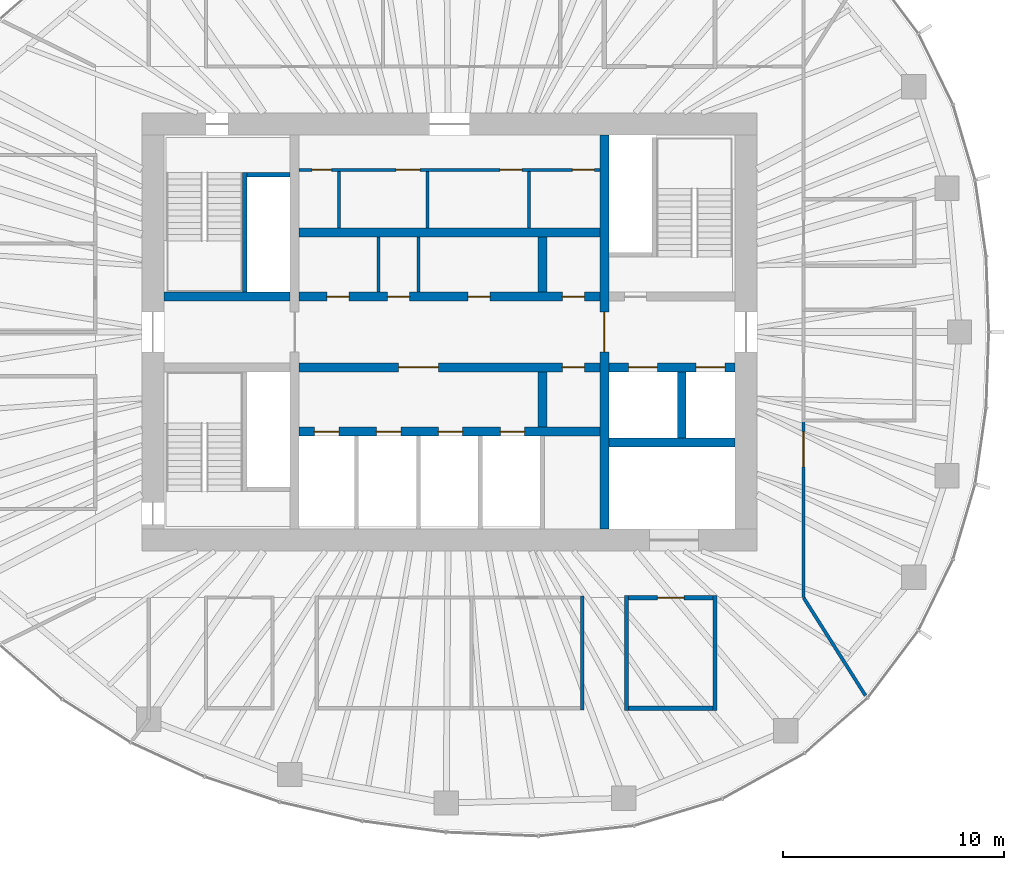
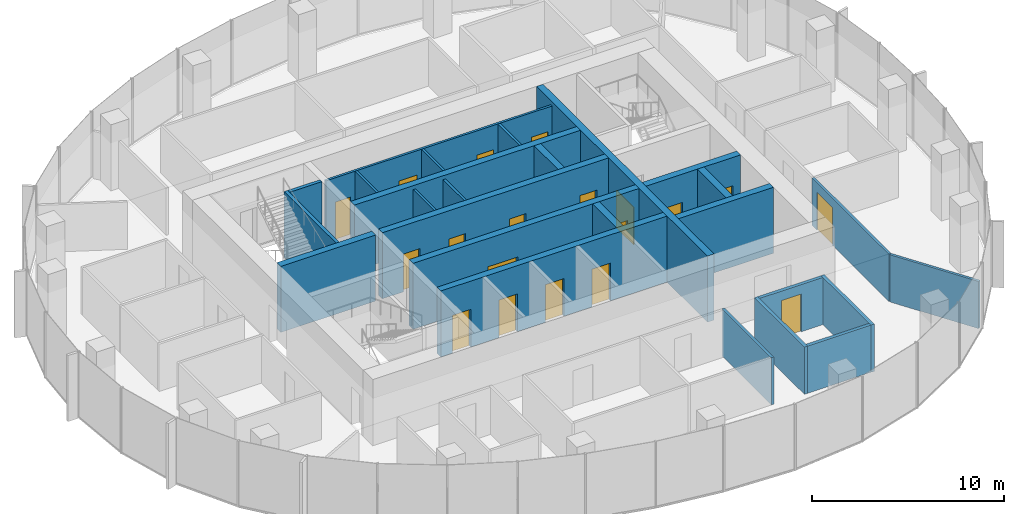
# One storey, part 9 of 12: 26 walls, 19 doors, 19 openings.
"""IFC4 building model written with IfcOpenShell, lengths in metres."""

import ifcopenshell
import ifcopenshell.guid

model = None  # the IFC model being written
_history = None  # IfcOwnerHistory: only IFC2X3 demands one
_inside = {}  # id of a spatial element -> (the spatial element, [elements in it])
_under = {}  # id of a project, library or spatial element -> (it, [spatial elements below it])
_declared = {}  # id of a project -> (the project, [libraries it declares])
_typed = {}  # id of a type object -> (the type object, [elements of that type])
_made_of = {}  # id of a material, layer set ... -> (it, [elements and type objects made of it])


def new_model(schema):
    """Start an empty IFC model of exactly this schema.

    Asked for "IFC4X3", IfcOpenShell would pick the latest addendum, in which some entities
    have other attributes; the version numbers below select the first issue.
    IFC2X3 requires an IfcOwnerHistory on every rooted entity: one is made here for all.
    """
    global model, _history
    if schema == "IFC4X3":
        model = ifcopenshell.file(schema_version=(4, 3, 0, 0))
    else:
        model = ifcopenshell.file(schema=schema)
    _inside.clear()
    _under.clear()
    _declared.clear()
    _typed.clear()
    _made_of.clear()
    _history = None
    if model.schema == "IFC2X3":
        org = make("IfcOrganization", Name="unknown")
        user = make(
            "IfcPersonAndOrganization",
            ThePerson=make("IfcPerson", FamilyName="unknown"),
            TheOrganization=org,
        )
        app = make(
            "IfcApplication",
            ApplicationDeveloper=org,
            Version="unknown",
            ApplicationFullName="unknown",
            ApplicationIdentifier="unknown",
        )
        _history = make(
            "IfcOwnerHistory",
            OwningUser=user,
            OwningApplication=app,
            ChangeAction="ADDED",
            CreationDate=0,
        )
    return model


def make(cls, **values):
    """One entity of the class cls with the attributes given. An attribute that is None is left unset."""
    return model.create_entity(
        cls, **{name: value for name, value in values.items() if value is not None}
    )


def rooted(cls, **values):
    """An entity with a GlobalId (a new one), such as an element, a storey or a relation."""
    return make(cls, GlobalId=ifcopenshell.guid.new(), OwnerHistory=_history, **values)


def si_unit(unit_type, name, prefix=None):
    """IfcSIUnit, for example si_unit("LENGTHUNIT", "METRE", prefix="MILLI")."""
    return make("IfcSIUnit", UnitType=unit_type, Prefix=prefix, Name=name)


def assignment(units):
    """IfcUnitAssignment: the units of a project."""
    return None if units is None else make("IfcUnitAssignment", Units=units)


def point(xyz):
    """IfcCartesianPoint."""
    return None if xyz is None else make("IfcCartesianPoint", Coordinates=xyz)


def direction(xyz):
    """IfcDirection."""
    return None if xyz is None else make("IfcDirection", DirectionRatios=xyz)


def frame(location, z_axis=None, x_axis=None):
    """IfcAxis2Placement3D, a coordinate frame: its origin and axes. An axis left out is left unset."""
    return make(
        "IfcAxis2Placement3D",
        Location=point(location),
        Axis=direction(z_axis),
        RefDirection=direction(x_axis),
    )


def frame_2d(location, x_axis=None):
    """IfcAxis2Placement2D, a coordinate frame in the plane: its origin and x axis."""
    return make(
        "IfcAxis2Placement2D", Location=point(location), RefDirection=direction(x_axis)
    )


def origin():
    """The frame at (0, 0, 0) with its axes left unset."""
    return frame((0.0, 0.0, 0.0))


def place(relative_to, where):
    """IfcLocalPlacement: puts the frame where relative to a parent placement (None: the world)."""
    return make(
        "IfcLocalPlacement", PlacementRelTo=relative_to, RelativePlacement=where
    )


def context(
    kind, dimensions, precision=None, world=None, true_north=None, identifier=None
):
    """IfcGeometricRepresentationContext, for example the 3D "Model" context."""
    return make(
        "IfcGeometricRepresentationContext",
        ContextIdentifier=identifier,
        ContextType=kind,
        CoordinateSpaceDimension=dimensions,
        Precision=precision,
        WorldCoordinateSystem=world,
        TrueNorth=true_north,
    )


def subcontext(parent, identifier, kind, view, scale=None):
    """IfcGeometricRepresentationSubContext, for example "Body" below "Model"."""
    return make(
        "IfcGeometricRepresentationSubContext",
        ContextIdentifier=identifier,
        ContextType=kind,
        ParentContext=parent,
        TargetScale=scale,
        TargetView=view,
    )


def project(units=None, contexts=None):
    """IfcProject with its units and contexts."""
    return rooted(
        "IfcProject",
        Name="project",
        RepresentationContexts=contexts,
        UnitsInContext=assignment(units),
    )


def spatial(cls, under=None, at=None, **own):
    """A site, building, storey or space (cls), placed at a placement, below another one or the project."""
    s = rooted(cls, ObjectPlacement=at, **own)
    if under is not None:
        _under.setdefault(under.id(), (under, []))[1].append(s)
    return s


def profile(cls, at=None, kind="AREA", **sizes):
    """A parametric profile (cls). Its sizes go by their IFC names, for example OverallWidth=200.0."""
    return make(cls, ProfileType=kind, Position=at, **sizes)


def rectangle(**sizes):
    """IfcRectangleProfileDef."""
    return profile("IfcRectangleProfileDef", **sizes)


def extrude(swept, where, along, depth):
    """IfcExtrudedAreaSolid: the profile swept, set in the frame where, extruded along a direction by depth."""
    return make(
        "IfcExtrudedAreaSolid",
        SweptArea=swept,
        Position=where,
        ExtrudedDirection=direction(along),
        Depth=depth,
    )


def shape(context_of_items, identifier, shape_type, items):
    """IfcShapeRepresentation: the items that make up one representation, for example the "Body"."""
    return make(
        "IfcShapeRepresentation",
        ContextOfItems=context_of_items,
        RepresentationIdentifier=identifier,
        RepresentationType=shape_type,
        Items=items,
    )


def material(Name=None, Category=None):
    """IfcMaterial."""
    return make("IfcMaterial", Name=Name, Category=Category)


def layer(
    of_material, thickness, ventilated=None, Name=None, Category=None, Priority=None
):
    """IfcMaterialLayer: one layer of a wall or slab, of a material (None: an air gap)."""
    return make(
        "IfcMaterialLayer",
        Material=of_material,
        LayerThickness=thickness,
        IsVentilated=ventilated,
        Name=Name,
        Category=Category,
        Priority=Priority,
    )


def layer_set(layers, Name=None):
    """IfcMaterialLayerSet."""
    return make("IfcMaterialLayerSet", MaterialLayers=layers, LayerSetName=Name)


def made_of(thing, what):
    """Note that an element or type object is made of a material, layer set ...; save() writes the relation."""
    if what is not None:
        _made_of.setdefault(what.id(), (what, []))[1].append(thing)
    return thing


def type_object(cls, material=None, **own):
    """A type object (cls), such as IfcWallType, which elements share."""
    return made_of(rooted(cls, **own), material)


def element(
    cls,
    number,
    at=None,
    inside=None,
    cuts=None,
    type_object=None,
    material=None,
    context=None,
    identifier="Body",
    shape_type=None,
    held_by="IfcProductDefinitionShape",
    body=None,
    shapes=None,
    **own,
):
    """One element of the class cls, such as IfcWall. Its Tag is "e" and its number.

    at: its placement. inside: the storey or other place that contains it. cuts: it is an
    opening in that element (IfcRelVoidsElement). A single representation is given by context,
    identifier, shape_type and body (its items); several are given by shapes. held_by: the class
    of the entity that holds the representations. save() writes the other relations.
    """
    e = rooted(cls, Tag="e%d" % number, ObjectPlacement=at, **own)
    if body is not None:
        shapes = [shape(context, identifier, shape_type, body)]
    if shapes is not None:
        e.Representation = make(held_by, Representations=shapes)
    if inside is not None:
        _inside.setdefault(inside.id(), (inside, []))[1].append(e)
    if cuts is not None:
        rooted(
            "IfcRelVoidsElement", RelatingBuildingElement=cuts, RelatedOpeningElement=e
        )
    if type_object is not None:
        _typed.setdefault(type_object.id(), (type_object, []))[1].append(e)
    return made_of(e, material)


def fill(opening, filler):
    """IfcRelFillsElement: the door or window that sits in an opening."""
    return rooted(
        "IfcRelFillsElement",
        RelatingOpeningElement=opening,
        RelatedBuildingElement=filler,
    )


def aggregate(whole, parts):
    """IfcRelAggregates: a whole, such as a stair, and the parts it consists of."""
    return rooted("IfcRelAggregates", RelatingObject=whole, RelatedObjects=parts)


def save(model, path):
    """Write the relations noted so far, then the file.

    IfcRelAggregates (storeys below a building ...), IfcRelContainedInSpatialStructure (elements
    in a storey), IfcRelDefinesByType, IfcRelAssociatesMaterial and IfcRelDeclares: one each for
    every whole, place, type object, material and project.
    """
    for whole, parts in _under.values():
        aggregate(whole, parts)
    for where, things in _inside.values():
        rooted(
            "IfcRelContainedInSpatialStructure",
            RelatedElements=things,
            RelatingStructure=where,
        )
    for kind, things in _typed.values():
        rooted("IfcRelDefinesByType", RelatedObjects=things, RelatingType=kind)
    for what, things in _made_of.values():
        rooted("IfcRelAssociatesMaterial", RelatedObjects=things, RelatingMaterial=what)
    for by, libraries in _declared.values():
        rooted("IfcRelDeclares", RelatingContext=by, RelatedDefinitions=libraries)
    model.write(path)


model = new_model("IFC4")

# Units and contexts
model_context = context("Model", 3, precision=1e-05, world=origin(), true_north=direction((0.0, 1.0)))
body_context = subcontext(model_context, "Body", "Model", "MODEL_VIEW")
ifc_project = project(units=[si_unit("LENGTHUNIT", "METRE"), si_unit("AREAUNIT", "SQUARE_METRE"), si_unit("VOLUMEUNIT", "CUBIC_METRE"), si_unit("PLANEANGLEUNIT", "RADIAN"), si_unit("MASSUNIT", "GRAM", prefix="KILO")], contexts=[model_context])

# Site, building, storey
site_placement = place(None, origin())
site = spatial("IfcSite", under=ifc_project, at=site_placement, CompositionType="ELEMENT")
building_placement = place(site_placement, origin())
building = spatial("IfcBuilding", under=site, at=building_placement, Name="Ghaith Harvest Tower", CompositionType="ELEMENT")
storey_placement = place(building_placement, frame((0.0, 0.0, 300.60009765625)))
storey = spatial("IfcBuildingStorey", under=building, at=storey_placement, Name="L67", CompositionType="ELEMENT", Elevation=300.60009765625)

# Walls
ifc_material_1 = material(Name="Twin-stud gypsum board, acoustic", Category="gypsum")
ifc_layer_1 = layer(ifc_material_1, 0.199951171875)
ifc_layer_set_1 = layer_set([ifc_layer_1], Name="ACOUSTIC PARTITION 200")
wall_type_1 = type_object("IfcWallType", Name="ACOUSTIC PARTITION 200", PredefinedType="PARTITIONING", material=ifc_layer_set_1)
for number, where, z_axis, x_axis, name in (
    (1, (8.0, -11.89990234375, 0.0), (0.0, 0.0, 1.0), (0.0, -1.0, 0.0), "Partition L67 row S4 cross wall 1"),
    (2, (12.0, -11.89990234375, 0.0), (0.0, 0.0, 1.0), (0.0, -1.0, 0.0), "Partition L67 row S4 cross wall 2"),
):
    element("IfcWall", number, at=place(storey_placement, frame(where, z_axis=z_axis, x_axis=x_axis)), inside=storey, type_object=wall_type_1, Name=name, PredefinedType="PARTITIONING", context=body_context, shape_type="SweptSolid", body=[
        extrude(rectangle(XDim=5.2001953125, YDim=0.199951171875, at=frame_2d((2.60009765625, 0.0))), origin(), (0.0, 0.0, 1.0), 3.0),
    ])

# Wall, opening, door
wall_1_placement = place(storey_placement, frame((8.10009765625, -12.0, 0.0), z_axis=(0.0, 0.0, 1.0), x_axis=(1.0, 0.0, 0.0)))
wall_1 = element("IfcWall", 3, at=wall_1_placement, inside=storey, type_object=wall_type_1, Name="Partition L67-07", PredefinedType="PARTITIONING", context=body_context, shape_type="SweptSolid", body=[
    extrude(rectangle(XDim=3.7998046875, YDim=0.199951171875, at=frame_2d((1.89990234375, 0.0))), origin(), (0.0, 0.0, 1.0), 3.0),
])
opening_1_placement = place(wall_1_placement, frame((1.300048828125, 0.0, 0.0)))
opening_1 = element("IfcOpeningElement", 4, at=opening_1_placement, cuts=wall_1, Name="Opening 67-032", PredefinedType="OPENING", context=body_context, shape_type="SweptSolid", body=[
    extrude(rectangle(XDim=1.199951171875, YDim=2.39990234375, at=frame_2d((0.60009765625, 1.199951171875))), frame((0.0, 0.10986328125, 0.0), z_axis=(0.0, -1.0, 0.0), x_axis=(1.0, 0.0, 0.0)), (0.0, 0.0, 1.0), 0.219970703125),
])
ifc_material_2 = material(Name="Timber door", Category="wood")
door_type_1 = type_object("IfcDoorType", Name="D11 GLAZED 1200x2400", OperationType="SINGLE_SWING_LEFT", PredefinedType="DOOR", material=ifc_material_2)
door_1_placement = place(opening_1_placement, origin())
door_1 = element("IfcDoor", 5, at=door_1_placement, inside=storey, type_object=door_type_1, Name="Meeting room door", OperationType="SINGLE_SWING_LEFT", OverallHeight=2.39990234375, OverallWidth=1.199951171875, PredefinedType="DOOR", context=body_context, shape_type="SweptSolid", body=[
    extrude(rectangle(XDim=1.199951171875, YDim=2.39990234375, at=frame_2d((0.60009765625, 1.199951171875))), frame((0.0, 0.02490234375, 0.0), z_axis=(0.0, -1.0, 0.0), x_axis=(1.0, 0.0, 0.0)), (0.0, 0.0, 1.0), 0.050048828125),
])
fill(opening_1, door_1)

# Wall
wall_2_placement = place(storey_placement, frame((8.10009765625, -17.0, 0.0), z_axis=(0.0, 0.0, 1.0), x_axis=(1.0, 0.0, 0.0)))
element("IfcWall", 6, at=wall_2_placement, inside=storey, type_object=wall_type_1, Name="Partition L67-07", PredefinedType="PARTITIONING", context=body_context, shape_type="SweptSolid", body=[
    extrude(rectangle(XDim=3.7998046875, YDim=0.199951171875, at=frame_2d((1.89990234375, 0.0))), origin(), (0.0, 0.0, 1.0), 3.0),
])

# Wall, openings, doors
ifc_material_3 = material(Name="Concrete blockwork, fair-faced", Category="masonry")
ifc_layer_2 = layer(ifc_material_3, 0.139892578125)
ifc_layer_set_2 = layer_set([ifc_layer_2], Name="CORE PARTITION 140")
wall_type_2 = type_object("IfcWallType", Name="CORE PARTITION 140", PredefinedType="PARTITIONING", material=ifc_layer_set_2)
wall_3_placement = place(storey_placement, frame((-6.800048828125, 7.330078125, 0.0), z_axis=(0.0, 0.0, 1.0), x_axis=(1.0, 0.0, 0.0)))
wall_3 = element("IfcWall", 7, at=wall_3_placement, inside=storey, type_object=wall_type_2, Name="Core partition L67", PredefinedType="PARTITIONING", context=body_context, shape_type="SweptSolid", body=[
    extrude(rectangle(XDim=13.60009765625, YDim=0.139892578125, at=frame_2d((6.800048828125, 0.0))), origin(), (0.0, 0.0, 1.0), 3.949951171875),
])
opening_2_placement = place(wall_3_placement, frame((0.580078125, 0.0, 0.0)))
opening_2 = element("IfcOpeningElement", 8, at=opening_2_placement, cuts=wall_3, Name="Opening 67-008", PredefinedType="OPENING", context=body_context, shape_type="SweptSolid", body=[
    extrude(rectangle(XDim=0.89990234375, YDim=2.39990234375, at=frame_2d((0.449951171875, 1.199951171875))), frame((0.0, 0.080078125, 0.0), z_axis=(0.0, -1.0, 0.0), x_axis=(1.0, 0.0, 0.0)), (0.0, 0.0, 1.0), 0.159912109375),
])
opening_3_placement = place(wall_3_placement, frame((4.3798828125, 0.0, 0.0)))
opening_3 = element("IfcOpeningElement", 9, at=opening_3_placement, cuts=wall_3, Name="Opening 67-009", PredefinedType="OPENING", context=body_context, shape_type="SweptSolid", body=[
    extrude(rectangle(XDim=1.10009765625, YDim=2.39990234375, at=frame_2d((0.550048828125, 1.199951171875))), frame((0.0, 0.080078125, 0.0), z_axis=(0.0, -1.0, 0.0), x_axis=(1.0, 0.0, 0.0)), (0.0, 0.0, 1.0), 0.159912109375),
])
opening_4_placement = place(wall_3_placement, frame((9.080078125, 0.0, 0.0)))
opening_4 = element("IfcOpeningElement", 10, at=opening_4_placement, cuts=wall_3, Name="Opening 67-010", PredefinedType="OPENING", context=body_context, shape_type="SweptSolid", body=[
    extrude(rectangle(XDim=1.0, YDim=2.39990234375, at=frame_2d((0.5, 1.199951171875))), frame((0.0, 0.080078125, 0.0), z_axis=(0.0, -1.0, 0.0), x_axis=(1.0, 0.0, 0.0)), (0.0, 0.0, 1.0), 0.159912109375),
])
opening_5_placement = place(wall_3_placement, frame((12.35009765625, 0.0, 0.0)))
opening_5 = element("IfcOpeningElement", 11, at=opening_5_placement, cuts=wall_3, Name="Opening 67-011", PredefinedType="OPENING", context=body_context, shape_type="SweptSolid", body=[
    extrude(rectangle(XDim=1.0, YDim=2.39990234375, at=frame_2d((0.5, 1.199951171875))), frame((0.0, 0.080078125, 0.0), z_axis=(0.0, -1.0, 0.0), x_axis=(1.0, 0.0, 0.0)), (0.0, 0.0, 1.0), 0.159912109375),
])
ifc_material_4 = material(Name="Steel fire door", Category="steel")
door_type_2 = type_object("IfcDoorType", Name="D3 FD90 1000x2400", OperationType="SINGLE_SWING_LEFT", PredefinedType="DOOR", material=ifc_material_4)
door_2_placement = place(opening_4_placement, origin())
door_2 = element("IfcDoor", 12, at=door_2_placement, inside=storey, type_object=door_type_2, Name="Male WC door", OperationType="SINGLE_SWING_RIGHT", OverallHeight=2.39990234375, OverallWidth=1.0, PredefinedType="DOOR", context=body_context, shape_type="SweptSolid", body=[
    extrude(rectangle(XDim=1.0, YDim=2.39990234375, at=frame_2d((0.5, 1.199951171875))), frame((0.0, 0.02490234375, 0.0), z_axis=(0.0, -1.0, 0.0), x_axis=(1.0, 0.0, 0.0)), (0.0, 0.0, 1.0), 0.050048828125),
])
fill(opening_4, door_2)
door_3_placement = place(opening_5_placement, origin())
door_3 = element("IfcDoor", 13, at=door_3_placement, inside=storey, type_object=door_type_2, Name="Female WC door", OperationType="SINGLE_SWING_RIGHT", OverallHeight=2.39990234375, OverallWidth=1.0, PredefinedType="DOOR", context=body_context, shape_type="SweptSolid", body=[
    extrude(rectangle(XDim=1.0, YDim=2.39990234375, at=frame_2d((0.5, 1.199951171875))), frame((0.0, 0.02490234375, 0.0), z_axis=(0.0, -1.0, 0.0), x_axis=(1.0, 0.0, 0.0)), (0.0, 0.0, 1.0), 0.050048828125),
])
fill(opening_5, door_3)
ifc_material_5 = material(Name="Steel fire door", Category="steel")
door_type_3 = type_object("IfcDoorType", Name="D5 FD90 900x2400", OperationType="SINGLE_SWING_LEFT", PredefinedType="DOOR", material=ifc_material_5)
door_4_placement = place(opening_2_placement, origin())
door_4 = element("IfcDoor", 14, at=door_4_placement, inside=storey, type_object=door_type_3, Name="Cleaner's store door", OperationType="SINGLE_SWING_LEFT", OverallHeight=2.39990234375, OverallWidth=0.89990234375, PredefinedType="DOOR", context=body_context, shape_type="SweptSolid", body=[
    extrude(rectangle(XDim=0.89990234375, YDim=2.39990234375, at=frame_2d((0.449951171875, 1.199951171875))), frame((0.0, 0.02490234375, 0.0), z_axis=(0.0, -1.0, 0.0), x_axis=(1.0, 0.0, 0.0)), (0.0, 0.0, 1.0), 0.050048828125),
])
fill(opening_2, door_4)
ifc_material_6 = material(Name="Steel fire door", Category="steel")
door_type_4 = type_object("IfcDoorType", Name="D9 FD90 1100x2400", OperationType="SINGLE_SWING_LEFT", PredefinedType="DOOR", material=ifc_material_6)
door_5_placement = place(opening_3_placement, origin())
door_5 = element("IfcDoor", 15, at=door_5_placement, inside=storey, type_object=door_type_4, Name="Accessible WC door", OperationType="SINGLE_SWING_LEFT", OverallHeight=2.39990234375, OverallWidth=1.10009765625, PredefinedType="DOOR", context=body_context, shape_type="SweptSolid", body=[
    extrude(rectangle(XDim=1.10009765625, YDim=2.39990234375, at=frame_2d((0.550048828125, 1.199951171875))), frame((0.0, 0.02490234375, 0.0), z_axis=(0.0, -1.0, 0.0), x_axis=(1.0, 0.0, 0.0)), (0.0, 0.0, 1.0), 0.050048828125),
])
fill(opening_3, door_5)

# Walls
for number, where, z_axis, x_axis, name in (
    (16, (-5.0, 4.699951171875, 0.0), (0.0, 0.0, 1.0), (0.0, 1.0, 0.0), "Core partition L67"),
    (17, (-1.0, 4.699951171875, 0.0), (0.0, 0.0, 1.0), (0.0, 1.0, 0.0), "Core partition L67"),
    (18, (3.60009765625, 4.699951171875, 0.0), (0.0, 0.0, 1.0), (0.0, 1.0, 0.0), "Core partition L67"),
):
    element("IfcWall", number, at=place(storey_placement, frame(where, z_axis=z_axis, x_axis=x_axis)), inside=storey, type_object=wall_type_2, Name=name, PredefinedType="PARTITIONING", context=body_context, shape_type="SweptSolid", body=[
        extrude(rectangle(XDim=2.56005859375, YDim=0.139892578125, at=frame_2d((1.280029296875, 0.0))), origin(), (0.0, 0.0, 1.0), 3.949951171875),
    ])
for number, where, z_axis, x_axis, name in (
    (19, (-3.199951171875, 1.800048828125, 0.0), (0.0, 0.0, 1.0), (0.0, 1.0, 0.0), "Core partition L67"),
    (20, (-1.39990234375, 1.800048828125, 0.0), (0.0, 0.0, 1.0), (0.0, 1.0, 0.0), "Core partition L67"),
):
    element("IfcWall", number, at=place(storey_placement, frame(where, z_axis=z_axis, x_axis=x_axis)), inside=storey, type_object=wall_type_2, Name=name, PredefinedType="PARTITIONING", context=body_context, shape_type="SweptSolid", body=[
        extrude(rectangle(XDim=2.5, YDim=0.139892578125, at=frame_2d((1.25, 0.0))), origin(), (0.0, 0.0, 1.0), 3.949951171875),
    ])
ifc_material_7 = material(Name="Gypsum board on steel studs", Category="steel")
ifc_layer_3 = layer(ifc_material_7, 0.14990234375)
ifc_layer_set_3 = layer_set([ifc_layer_3], Name="PARTITION 150")
wall_type_3 = type_object("IfcWallType", Name="PARTITION 150", PredefinedType="PARTITIONING", material=ifc_layer_set_3)
wall_4_placement = place(storey_placement, frame((6.0, -11.925048828125, 0.0), z_axis=(0.0, 0.0, 1.0), x_axis=(0.0, -1.0, 0.0)))
element("IfcWall", 21, at=wall_4_placement, inside=storey, type_object=wall_type_3, Name="Partition L67 row S3 cross wall 3", PredefinedType="PARTITIONING", context=body_context, shape_type="SweptSolid", body=[
    extrude(rectangle(XDim=5.14990234375, YDim=0.14990234375, at=frame_2d((2.574951171875, 0.0))), origin(), (0.0, 0.0, 1.0), 3.0),
])
wall_5_placement = place(storey_placement, frame((16.0107421875, -12.016845703125, 0.0), z_axis=(0.0, 0.0, 1.0), x_axis=(0.53415837449, -0.845384427916, 0.0)))
element("IfcWall", 22, at=wall_5_placement, inside=storey, type_object=wall_type_3, Name="Partition L67 zone division", PredefinedType="PARTITIONING", context=body_context, shape_type="SweptSolid", body=[
    extrude(rectangle(XDim=5.220458984375, YDim=0.14990234375, at=frame_2d((2.6103515625, 0.0))), origin(), (0.0, 0.0, 1.0), 3.0),
])

# Wall, opening, door
wall_6_placement = place(storey_placement, frame((16.0, -12.0, 0.0), z_axis=(0.0, 0.0, 1.0), x_axis=(0.0, 1.0, 0.0)))
wall_6 = element("IfcWall", 23, at=wall_6_placement, inside=storey, type_object=wall_type_3, Name="Partition L67 zone enclosure", PredefinedType="PARTITIONING", context=body_context, shape_type="SweptSolid", body=[
    extrude(rectangle(XDim=8.0, YDim=0.14990234375, at=frame_2d((4.0, 0.0))), origin(), (0.0, 0.0, 1.0), 3.0),
])
opening_6_placement = place(wall_6_placement, frame((5.89990234375, 0.0, 0.0)))
opening_6 = element("IfcOpeningElement", 24, at=opening_6_placement, cuts=wall_6, Name="Opening 67-039", PredefinedType="OPENING", context=body_context, shape_type="SweptSolid", body=[
    extrude(rectangle(XDim=1.60009765625, YDim=2.39990234375, at=frame_2d((0.800048828125, 1.199951171875))), frame((0.0, 0.0849609375, 0.0), z_axis=(0.0, -1.0, 0.0), x_axis=(1.0, 0.0, 0.0)), (0.0, 0.0, 1.0), 0.169921875),
])
ifc_material_8 = material(Name="Timber door", Category="wood")
door_type_5 = type_object("IfcDoorType", Name="D2 PAIR 1600x2400", OperationType="DOUBLE_DOOR_SINGLE_SWING", PredefinedType="DOOR", material=ifc_material_8)
door_6_placement = place(opening_6_placement, origin())
door_6 = element("IfcDoor", 25, at=door_6_placement, inside=storey, type_object=door_type_5, Name="Research greenhouse east door", OperationType="DOUBLE_DOOR_SINGLE_SWING", OverallHeight=2.39990234375, OverallWidth=1.60009765625, PredefinedType="DOOR", context=body_context, shape_type="SweptSolid", body=[
    extrude(rectangle(XDim=1.60009765625, YDim=2.39990234375, at=frame_2d((0.800048828125, 1.199951171875))), frame((0.0, 0.02490234375, 0.0), z_axis=(0.0, -1.0, 0.0), x_axis=(1.0, 0.0, 0.0)), (0.0, 0.0, 1.0), 0.050048828125),
])
fill(opening_6, door_6)

ifc_material_9 = material(Name="Concrete C70/85", Category="concrete")
ifc_layer_4 = layer(ifc_material_9, 0.39990234375)
ifc_layer_set_4 = layer_set([ifc_layer_4], Name="SHAFT WALL 400")
wall_type_4 = type_object("IfcWallType", Name="SHAFT WALL 400", PredefinedType="SHEAR", material=ifc_layer_set_4)
wall_7_placement = place(storey_placement, frame((7.0, -8.89990234375, 0.0), z_axis=(0.0, 0.0, 1.0), x_axis=(0.0, 1.0, 0.0)))
wall_7 = element("IfcWall", 26, at=wall_7_placement, inside=storey, type_object=wall_type_4, Name="Shaft wall W7E L67", PredefinedType="SHEAR", context=body_context, shape_type="SweptSolid", body=[
    extrude(rectangle(XDim=17.7998046875, YDim=0.39990234375, at=frame_2d((8.89990234375, 0.0))), origin(), (0.0, 0.0, 1.0), 4.199951171875),
])
opening_7_placement = place(wall_7_placement, frame((8.0, 0.0, 0.0)))
opening_7 = element("IfcOpeningElement", 27, at=opening_7_placement, cuts=wall_7, Name="Opening 67-004", PredefinedType="OPENING", context=body_context, shape_type="SweptSolid", body=[
    extrude(rectangle(XDim=1.800048828125, YDim=2.39990234375, at=frame_2d((0.89990234375, 1.199951171875))), frame((0.0, 0.2099609375, 0.0), z_axis=(0.0, -1.0, 0.0), x_axis=(1.0, 0.0, 0.0)), (0.0, 0.0, 1.0), 0.419921875),
])
ifc_material_10 = material(Name="Steel fire door", Category="steel")
door_type_6 = type_object("IfcDoorType", Name="D4 FD90 PAIR 1800x2400", OperationType="DOUBLE_DOOR_SINGLE_SWING", PredefinedType="DOOR", material=ifc_material_10)
door_7_placement = place(opening_7_placement, origin())
door_7 = element("IfcDoor", 28, at=door_7_placement, inside=storey, type_object=door_type_6, Name="Lift lobby doors, east", OperationType="DOUBLE_DOOR_SINGLE_SWING", OverallHeight=2.39990234375, OverallWidth=1.800048828125, PredefinedType="DOOR", context=body_context, shape_type="SweptSolid", body=[
    extrude(rectangle(XDim=1.800048828125, YDim=2.39990234375, at=frame_2d((0.89990234375, 1.199951171875))), frame((0.0, 0.02490234375, 0.0), z_axis=(0.0, -1.0, 0.0), x_axis=(1.0, 0.0, 0.0)), (0.0, 0.0, 1.0), 0.050048828125),
])
fill(opening_7, door_7)

# Wall, openings, doors
wall_8_placement = place(storey_placement, frame((-6.800048828125, 1.60009765625, 0.0), z_axis=(0.0, 0.0, 1.0), x_axis=(1.0, 0.0, 0.0)))
wall_8 = element("IfcWall", 29, at=wall_8_placement, inside=storey, type_object=wall_type_4, Name="Shaft wall LN L67", PredefinedType="SHEAR", context=body_context, shape_type="SweptSolid", body=[
    extrude(rectangle(XDim=13.60009765625, YDim=0.39990234375, at=frame_2d((6.800048828125, 0.0))), origin(), (0.0, 0.0, 1.0), 4.199951171875),
])
opening_8_placement = place(wall_8_placement, frame((1.264892578125, 0.0, 0.0)))
opening_8 = element("IfcOpeningElement", 30, at=opening_8_placement, cuts=wall_8, Name="Opening 67-012", PredefinedType="OPENING", context=body_context, shape_type="SweptSolid", body=[
    extrude(rectangle(XDim=1.0, YDim=2.39990234375, at=frame_2d((0.5, 1.199951171875))), frame((0.0, 0.2099609375, 0.0), z_axis=(0.0, -1.0, 0.0), x_axis=(1.0, 0.0, 0.0)), (0.0, 0.0, 1.0), 0.419921875),
])
opening_9_placement = place(wall_8_placement, frame((4.0, 0.0, 0.0)))
opening_9 = element("IfcOpeningElement", 31, at=opening_9_placement, cuts=wall_8, Name="Opening 67-013", PredefinedType="OPENING", context=body_context, shape_type="SweptSolid", body=[
    extrude(rectangle(XDim=1.0, YDim=2.39990234375, at=frame_2d((0.5, 1.199951171875))), frame((0.0, 0.2099609375, 0.0), z_axis=(0.0, -1.0, 0.0), x_axis=(1.0, 0.0, 0.0)), (0.0, 0.0, 1.0), 0.419921875),
])
opening_10_placement = place(wall_8_placement, frame((7.635009765625, 0.0, 0.0)))
opening_10 = element("IfcOpeningElement", 32, at=opening_10_placement, cuts=wall_8, Name="Opening 67-014", PredefinedType="OPENING", context=body_context, shape_type="SweptSolid", body=[
    extrude(rectangle(XDim=1.0, YDim=2.39990234375, at=frame_2d((0.5, 1.199951171875))), frame((0.0, 0.2099609375, 0.0), z_axis=(0.0, -1.0, 0.0), x_axis=(1.0, 0.0, 0.0)), (0.0, 0.0, 1.0), 0.419921875),
])
opening_11_placement = place(wall_8_placement, frame((11.89990234375, 0.0, 0.0)))
opening_11 = element("IfcOpeningElement", 33, at=opening_11_placement, cuts=wall_8, Name="Opening 67-015", PredefinedType="OPENING", context=body_context, shape_type="SweptSolid", body=[
    extrude(rectangle(XDim=1.0, YDim=2.39990234375, at=frame_2d((0.5, 1.199951171875))), frame((0.0, 0.2099609375, 0.0), z_axis=(0.0, -1.0, 0.0), x_axis=(1.0, 0.0, 0.0)), (0.0, 0.0, 1.0), 0.419921875),
])
door_8_placement = place(opening_8_placement, origin())
door_8 = element("IfcDoor", 34, at=door_8_placement, inside=storey, type_object=door_type_2, Name="Electrical room door", OperationType="SINGLE_SWING_LEFT", OverallHeight=2.39990234375, OverallWidth=1.0, PredefinedType="DOOR", context=body_context, shape_type="SweptSolid", body=[
    extrude(rectangle(XDim=1.0, YDim=2.39990234375, at=frame_2d((0.5, 1.199951171875))), frame((0.0, 0.02490234375, 0.0), z_axis=(0.0, -1.0, 0.0), x_axis=(1.0, 0.0, 0.0)), (0.0, 0.0, 1.0), 0.050048828125),
])
fill(opening_8, door_8)
door_9_placement = place(opening_9_placement, origin())
door_9 = element("IfcDoor", 35, at=door_9_placement, inside=storey, type_object=door_type_2, Name="Staff WC door", OperationType="SINGLE_SWING_LEFT", OverallHeight=2.39990234375, OverallWidth=1.0, PredefinedType="DOOR", context=body_context, shape_type="SweptSolid", body=[
    extrude(rectangle(XDim=1.0, YDim=2.39990234375, at=frame_2d((0.5, 1.199951171875))), frame((0.0, 0.02490234375, 0.0), z_axis=(0.0, -1.0, 0.0), x_axis=(1.0, 0.0, 0.0)), (0.0, 0.0, 1.0), 0.050048828125),
])
fill(opening_9, door_9)
door_10_placement = place(opening_10_placement, origin())
door_10 = element("IfcDoor", 36, at=door_10_placement, inside=storey, type_object=door_type_2, Name="Communications equipment room door", OperationType="SINGLE_SWING_RIGHT", OverallHeight=2.39990234375, OverallWidth=1.0, PredefinedType="DOOR", context=body_context, shape_type="SweptSolid", body=[
    extrude(rectangle(XDim=1.0, YDim=2.39990234375, at=frame_2d((0.5, 1.199951171875))), frame((0.0, 0.02490234375, 0.0), z_axis=(0.0, -1.0, 0.0), x_axis=(1.0, 0.0, 0.0)), (0.0, 0.0, 1.0), 0.050048828125),
])
fill(opening_10, door_10)
door_11_placement = place(opening_11_placement, origin())
door_11 = element("IfcDoor", 37, at=door_11_placement, inside=storey, type_object=door_type_2, Name="Security room door", OperationType="SINGLE_SWING_RIGHT", OverallHeight=2.39990234375, OverallWidth=1.0, PredefinedType="DOOR", context=body_context, shape_type="SweptSolid", body=[
    extrude(rectangle(XDim=1.0, YDim=2.39990234375, at=frame_2d((0.5, 1.199951171875))), frame((0.0, 0.02490234375, 0.0), z_axis=(0.0, -1.0, 0.0), x_axis=(1.0, 0.0, 0.0)), (0.0, 0.0, 1.0), 0.050048828125),
])
fill(opening_11, door_11)

wall_9_placement = place(storey_placement, frame((-6.800048828125, -1.60009765625, 0.0), z_axis=(0.0, 0.0, 1.0), x_axis=(1.0, 0.0, 0.0)))
wall_9 = element("IfcWall", 38, at=wall_9_placement, inside=storey, type_object=wall_type_4, Name="Shaft wall LS L67", PredefinedType="SHEAR", context=body_context, shape_type="SweptSolid", body=[
    extrude(rectangle(XDim=13.60009765625, YDim=0.39990234375, at=frame_2d((6.800048828125, 0.0))), origin(), (0.0, 0.0, 1.0), 4.199951171875),
])
opening_12_placement = place(wall_9_placement, frame((11.89990234375, 0.0, 0.0)))
opening_12 = element("IfcOpeningElement", 39, at=opening_12_placement, cuts=wall_9, Name="Opening 67-016", PredefinedType="OPENING", context=body_context, shape_type="SweptSolid", body=[
    extrude(rectangle(XDim=1.0, YDim=2.39990234375, at=frame_2d((0.5, 1.199951171875))), frame((0.0, 0.2099609375, 0.0), z_axis=(0.0, -1.0, 0.0), x_axis=(1.0, 0.0, 0.0)), (0.0, 0.0, 1.0), 0.419921875),
])
opening_13_placement = place(wall_9_placement, frame((4.5, 0.0, 0.0)))
opening_13 = element("IfcOpeningElement", 40, at=opening_13_placement, cuts=wall_9, Name="Opening 67-017", PredefinedType="OPENING", context=body_context, shape_type="SweptSolid", body=[
    extrude(rectangle(XDim=1.800048828125, YDim=2.39990234375, at=frame_2d((0.89990234375, 1.199951171875))), frame((0.0, 0.2099609375, 0.0), z_axis=(0.0, -1.0, 0.0), x_axis=(1.0, 0.0, 0.0)), (0.0, 0.0, 1.0), 0.419921875),
])
door_12_placement = place(opening_12_placement, origin())
door_12 = element("IfcDoor", 41, at=door_12_placement, inside=storey, type_object=door_type_2, Name="IT equipment room door", OperationType="SINGLE_SWING_RIGHT", OverallHeight=2.39990234375, OverallWidth=1.0, PredefinedType="DOOR", context=body_context, shape_type="SweptSolid", body=[
    extrude(rectangle(XDim=1.0, YDim=2.39990234375, at=frame_2d((0.5, 1.199951171875))), frame((0.0, 0.02490234375, 0.0), z_axis=(0.0, -1.0, 0.0), x_axis=(1.0, 0.0, 0.0)), (0.0, 0.0, 1.0), 0.050048828125),
])
fill(opening_12, door_12)
door_13_placement = place(opening_13_placement, origin())
door_13 = element("IfcDoor", 42, at=door_13_placement, inside=storey, type_object=door_type_6, Name="Lift lobby doors, upper-zone bank", OperationType="DOUBLE_DOOR_SINGLE_SWING", OverallHeight=2.39990234375, OverallWidth=1.800048828125, PredefinedType="DOOR", context=body_context, shape_type="SweptSolid", body=[
    extrude(rectangle(XDim=1.800048828125, YDim=2.39990234375, at=frame_2d((0.89990234375, 1.199951171875))), frame((0.0, 0.02490234375, 0.0), z_axis=(0.0, -1.0, 0.0), x_axis=(1.0, 0.0, 0.0)), (0.0, 0.0, 1.0), 0.050048828125),
])
fill(opening_13, door_13)

# Wall
wall_10_placement = place(storey_placement, frame((-6.800048828125, 4.5, 0.0), z_axis=(0.0, 0.0, 1.0), x_axis=(1.0, 0.0, 0.0)))
element("IfcWall", 43, at=wall_10_placement, inside=storey, type_object=wall_type_4, Name="Shaft wall BN L67", PredefinedType="SHEAR", context=body_context, shape_type="SweptSolid", body=[
    extrude(rectangle(XDim=13.60009765625, YDim=0.39990234375, at=frame_2d((6.800048828125, 0.0))), origin(), (0.0, 0.0, 1.0), 4.199951171875),
])

# Wall, openings, doors
wall_11_placement = place(storey_placement, frame((-6.800048828125, -4.5, 0.0), z_axis=(0.0, 0.0, 1.0), x_axis=(1.0, 0.0, 0.0)))
wall_11 = element("IfcWall", 44, at=wall_11_placement, inside=storey, type_object=wall_type_4, Name="Shaft wall BS L67", PredefinedType="SHEAR", context=body_context, shape_type="SweptSolid", body=[
    extrude(rectangle(XDim=13.60009765625, YDim=0.39990234375, at=frame_2d((6.800048828125, 0.0))), origin(), (0.0, 0.0, 1.0), 4.199951171875),
])
opening_14_placement = place(wall_11_placement, frame((0.699951171875, 0.0, 0.0)))
opening_14 = element("IfcOpeningElement", 45, at=opening_14_placement, cuts=wall_11, Name="Opening 67-019", PredefinedType="OPENING", context=body_context, shape_type="SweptSolid", body=[
    extrude(rectangle(XDim=1.10009765625, YDim=2.39990234375, at=frame_2d((0.550048828125, 1.199951171875))), frame((0.0, 0.2099609375, 0.0), z_axis=(0.0, -1.0, 0.0), x_axis=(1.0, 0.0, 0.0)), (0.0, 0.0, 1.0), 0.419921875),
])
opening_15_placement = place(wall_11_placement, frame((3.5, 0.0, 0.0)))
opening_15 = element("IfcOpeningElement", 46, at=opening_15_placement, cuts=wall_11, Name="Opening 67-020", PredefinedType="OPENING", context=body_context, shape_type="SweptSolid", body=[
    extrude(rectangle(XDim=1.10009765625, YDim=2.39990234375, at=frame_2d((0.550048828125, 1.199951171875))), frame((0.0, 0.2099609375, 0.0), z_axis=(0.0, -1.0, 0.0), x_axis=(1.0, 0.0, 0.0)), (0.0, 0.0, 1.0), 0.419921875),
])
opening_16_placement = place(wall_11_placement, frame((6.300048828125, 0.0, 0.0)))
opening_16 = element("IfcOpeningElement", 47, at=opening_16_placement, cuts=wall_11, Name="Opening 67-021", PredefinedType="OPENING", context=body_context, shape_type="SweptSolid", body=[
    extrude(rectangle(XDim=1.10009765625, YDim=2.39990234375, at=frame_2d((0.550048828125, 1.199951171875))), frame((0.0, 0.2099609375, 0.0), z_axis=(0.0, -1.0, 0.0), x_axis=(1.0, 0.0, 0.0)), (0.0, 0.0, 1.0), 0.419921875),
])
opening_17_placement = place(wall_11_placement, frame((9.10009765625, 0.0, 0.0)))
opening_17 = element("IfcOpeningElement", 48, at=opening_17_placement, cuts=wall_11, Name="Opening 67-022", PredefinedType="OPENING", context=body_context, shape_type="SweptSolid", body=[
    extrude(rectangle(XDim=1.10009765625, YDim=2.39990234375, at=frame_2d((0.550048828125, 1.199951171875))), frame((0.0, 0.2099609375, 0.0), z_axis=(0.0, -1.0, 0.0), x_axis=(1.0, 0.0, 0.0)), (0.0, 0.0, 1.0), 0.419921875),
])
ifc_material_11 = material(Name="Steel fire door", Category="steel")
door_type_7 = type_object("IfcDoorType", Name="LD1 LANDING 1100x2400", OperationType="DOUBLE_DOOR_SLIDING", PredefinedType="DOOR", material=ifc_material_11)
door_14_placement = place(opening_14_placement, origin())
door_14 = element("IfcDoor", 49, at=door_14_placement, inside=storey, type_object=door_type_7, Name="Landing door, lift TR1", OperationType="DOUBLE_DOOR_SLIDING", OverallHeight=2.39990234375, OverallWidth=1.10009765625, PredefinedType="DOOR", context=body_context, shape_type="SweptSolid", body=[
    extrude(rectangle(XDim=1.10009765625, YDim=2.39990234375, at=frame_2d((0.550048828125, 1.199951171875))), frame((0.0, 0.02490234375, 0.0), z_axis=(0.0, -1.0, 0.0), x_axis=(1.0, 0.0, 0.0)), (0.0, 0.0, 1.0), 0.050048828125),
])
fill(opening_14, door_14)
door_15_placement = place(opening_15_placement, origin())
door_15 = element("IfcDoor", 50, at=door_15_placement, inside=storey, type_object=door_type_7, Name="Landing door, lift TR2", OperationType="DOUBLE_DOOR_SLIDING", OverallHeight=2.39990234375, OverallWidth=1.10009765625, PredefinedType="DOOR", context=body_context, shape_type="SweptSolid", body=[
    extrude(rectangle(XDim=1.10009765625, YDim=2.39990234375, at=frame_2d((0.550048828125, 1.199951171875))), frame((0.0, 0.02490234375, 0.0), z_axis=(0.0, -1.0, 0.0), x_axis=(1.0, 0.0, 0.0)), (0.0, 0.0, 1.0), 0.050048828125),
])
fill(opening_15, door_15)
door_16_placement = place(opening_16_placement, origin())
door_16 = element("IfcDoor", 51, at=door_16_placement, inside=storey, type_object=door_type_7, Name="Landing door, lift TR3", OperationType="DOUBLE_DOOR_SLIDING", OverallHeight=2.39990234375, OverallWidth=1.10009765625, PredefinedType="DOOR", context=body_context, shape_type="SweptSolid", body=[
    extrude(rectangle(XDim=1.10009765625, YDim=2.39990234375, at=frame_2d((0.550048828125, 1.199951171875))), frame((0.0, 0.02490234375, 0.0), z_axis=(0.0, -1.0, 0.0), x_axis=(1.0, 0.0, 0.0)), (0.0, 0.0, 1.0), 0.050048828125),
])
fill(opening_16, door_16)
door_17_placement = place(opening_17_placement, origin())
door_17 = element("IfcDoor", 52, at=door_17_placement, inside=storey, type_object=door_type_7, Name="Landing door, lift TR4", OperationType="DOUBLE_DOOR_SLIDING", OverallHeight=2.39990234375, OverallWidth=1.10009765625, PredefinedType="DOOR", context=body_context, shape_type="SweptSolid", body=[
    extrude(rectangle(XDim=1.10009765625, YDim=2.39990234375, at=frame_2d((0.550048828125, 1.199951171875))), frame((0.0, 0.02490234375, 0.0), z_axis=(0.0, -1.0, 0.0), x_axis=(1.0, 0.0, 0.0)), (0.0, 0.0, 1.0), 0.050048828125),
])
fill(opening_17, door_17)

# Wall
wall_12_placement = place(storey_placement, frame((-12.89990234375, 1.60009765625, 0.0), z_axis=(0.0, 0.0, 1.0), x_axis=(1.0, 0.0, 0.0)))
element("IfcWall", 53, at=wall_12_placement, inside=storey, type_object=wall_type_4, Name="Shaft wall WN L67", PredefinedType="SHEAR", context=body_context, shape_type="SweptSolid", body=[
    extrude(rectangle(XDim=5.699951171875, YDim=0.39990234375, at=frame_2d((2.85009765625, 0.0))), origin(), (0.0, 0.0, 1.0), 4.199951171875),
])

# Wall, openings, doors
wall_13_placement = place(storey_placement, frame((7.199951171875, -1.60009765625, 0.0), z_axis=(0.0, 0.0, 1.0), x_axis=(1.0, 0.0, 0.0)))
wall_13 = element("IfcWall", 54, at=wall_13_placement, inside=storey, type_object=wall_type_4, Name="Shaft wall ES L67", PredefinedType="SHEAR", context=body_context, shape_type="SweptSolid", body=[
    extrude(rectangle(XDim=5.699951171875, YDim=0.39990234375, at=frame_2d((2.85009765625, 0.0))), origin(), (0.0, 0.0, 1.0), 4.199951171875),
])
opening_18_placement = place(wall_13_placement, frame((0.89990234375, 0.0, 0.0)))
opening_18 = element("IfcOpeningElement", 55, at=opening_18_placement, cuts=wall_13, Name="Opening 67-023", PredefinedType="OPENING", context=body_context, shape_type="SweptSolid", body=[
    extrude(rectangle(XDim=1.300048828125, YDim=2.39990234375, at=frame_2d((0.64990234375, 1.199951171875))), frame((0.0, 0.2099609375, 0.0), z_axis=(0.0, -1.0, 0.0), x_axis=(1.0, 0.0, 0.0)), (0.0, 0.0, 1.0), 0.419921875),
])
opening_19_placement = place(wall_13_placement, frame((3.949951171875, 0.0, 0.0)))
opening_19 = element("IfcOpeningElement", 56, at=opening_19_placement, cuts=wall_13, Name="Opening 67-024", PredefinedType="OPENING", context=body_context, shape_type="SweptSolid", body=[
    extrude(rectangle(XDim=1.300048828125, YDim=2.39990234375, at=frame_2d((0.64990234375, 1.199951171875))), frame((0.0, 0.2099609375, 0.0), z_axis=(0.0, -1.0, 0.0), x_axis=(1.0, 0.0, 0.0)), (0.0, 0.0, 1.0), 0.419921875),
])
ifc_material_12 = material(Name="Steel fire door", Category="steel")
door_type_8 = type_object("IfcDoorType", Name="LD2 LANDING 1300x2400", OperationType="DOUBLE_DOOR_SLIDING", PredefinedType="DOOR", material=ifc_material_12)
door_18_placement = place(opening_18_placement, origin())
door_18 = element("IfcDoor", 57, at=door_18_placement, inside=storey, type_object=door_type_8, Name="Landing door, fire service lift FL1", OperationType="DOUBLE_DOOR_SLIDING", OverallHeight=2.39990234375, OverallWidth=1.300048828125, PredefinedType="DOOR", context=body_context, shape_type="SweptSolid", body=[
    extrude(rectangle(XDim=1.300048828125, YDim=2.39990234375, at=frame_2d((0.64990234375, 1.199951171875))), frame((0.0, 0.02490234375, 0.0), z_axis=(0.0, -1.0, 0.0), x_axis=(1.0, 0.0, 0.0)), (0.0, 0.0, 1.0), 0.050048828125),
])
fill(opening_18, door_18)
door_19_placement = place(opening_19_placement, origin())
door_19 = element("IfcDoor", 58, at=door_19_placement, inside=storey, type_object=door_type_8, Name="Landing door, fire service lift FL2", OperationType="DOUBLE_DOOR_SLIDING", OverallHeight=2.39990234375, OverallWidth=1.300048828125, PredefinedType="DOOR", context=body_context, shape_type="SweptSolid", body=[
    extrude(rectangle(XDim=1.300048828125, YDim=2.39990234375, at=frame_2d((0.64990234375, 1.199951171875))), frame((0.0, 0.02490234375, 0.0), z_axis=(0.0, -1.0, 0.0), x_axis=(1.0, 0.0, 0.0)), (0.0, 0.0, 1.0), 0.050048828125),
])
fill(opening_19, door_19)

# Walls
wall_14_placement = place(storey_placement, frame((10.5, -4.800048828125, 0.0), z_axis=(0.0, 0.0, 1.0), x_axis=(0.0, 1.0, 0.0)))
element("IfcWall", 59, at=wall_14_placement, inside=storey, type_object=wall_type_4, Name="Shaft wall FLD L67", PredefinedType="SHEAR", context=body_context, shape_type="SweptSolid", body=[
    extrude(rectangle(XDim=3.0, YDim=0.39990234375, at=frame_2d((1.5, 0.0))), origin(), (0.0, 0.0, 1.0), 4.199951171875),
])
wall_15_placement = place(storey_placement, frame((7.199951171875, -5.0, 0.0), z_axis=(0.0, 0.0, 1.0), x_axis=(1.0, 0.0, 0.0)))
element("IfcWall", 60, at=wall_15_placement, inside=storey, type_object=wall_type_4, Name="Shaft wall FLB L67", PredefinedType="SHEAR", context=body_context, shape_type="SweptSolid", body=[
    extrude(rectangle(XDim=5.699951171875, YDim=0.39990234375, at=frame_2d((2.85009765625, 0.0))), origin(), (0.0, 0.0, 1.0), 4.199951171875),
])
for number, where, z_axis, x_axis, name in (
    (61, (4.199951171875, 1.800048828125, 0.0), (0.0, 0.0, 1.0), (0.0, 1.0, 0.0), "Shaft wall DN4 L67"),
    (62, (4.199951171875, -4.300048828125, 0.0), (0.0, 0.0, 1.0), (0.0, 1.0, 0.0), "Shaft wall DS4 L67"),
):
    element("IfcWall", number, at=place(storey_placement, frame(where, z_axis=z_axis, x_axis=x_axis)), inside=storey, type_object=wall_type_4, Name=name, PredefinedType="SHEAR", context=body_context, shape_type="SweptSolid", body=[
        extrude(rectangle(XDim=2.5, YDim=0.39990234375, at=frame_2d((1.25, 0.0))), origin(), (0.0, 0.0, 1.0), 4.199951171875),
    ])
ifc_material_13 = material(Name="Concrete C40/50", Category="concrete")
ifc_layer_5 = layer(ifc_material_13, 0.199951171875)
ifc_layer_set_5 = layer_set([ifc_layer_5], Name="STAIR SPINE WALL RC200")
wall_type_5 = type_object("IfcWallType", Name="STAIR SPINE WALL RC200", PredefinedType="SOLIDWALL", material=ifc_layer_set_5)
wall_16_placement = place(storey_placement, frame((-9.25, 7.199951171875, 0.0), z_axis=(0.0, 0.0, 1.0), x_axis=(0.0, -1.0, 0.0)))
element("IfcWall", 63, at=wall_16_placement, inside=storey, type_object=wall_type_5, Name="Stair ST1 spine wall L67", PredefinedType="SOLIDWALL", context=body_context, shape_type="SweptSolid", body=[
    extrude(rectangle(XDim=5.39990234375, YDim=0.199951171875, at=frame_2d((2.699951171875, 0.0))), origin(), (0.0, 0.0, 1.0), 4.199951171875),
])
wall_17_placement = place(storey_placement, frame((-9.14990234375, 7.10009765625, 0.0), z_axis=(0.0, 0.0, 1.0), x_axis=(1.0, 0.0, 0.0)))
element("IfcWall", 64, at=wall_17_placement, inside=storey, type_object=wall_type_5, Name="Stair ST1 spine wall return L67", PredefinedType="SOLIDWALL", context=body_context, shape_type="SweptSolid", body=[
    extrude(rectangle(XDim=1.949951171875, YDim=0.199951171875, at=frame_2d((0.97509765625, 0.0))), origin(), (0.0, 0.0, 1.0), 4.199951171875),
])

save(model, "model.ifc")
